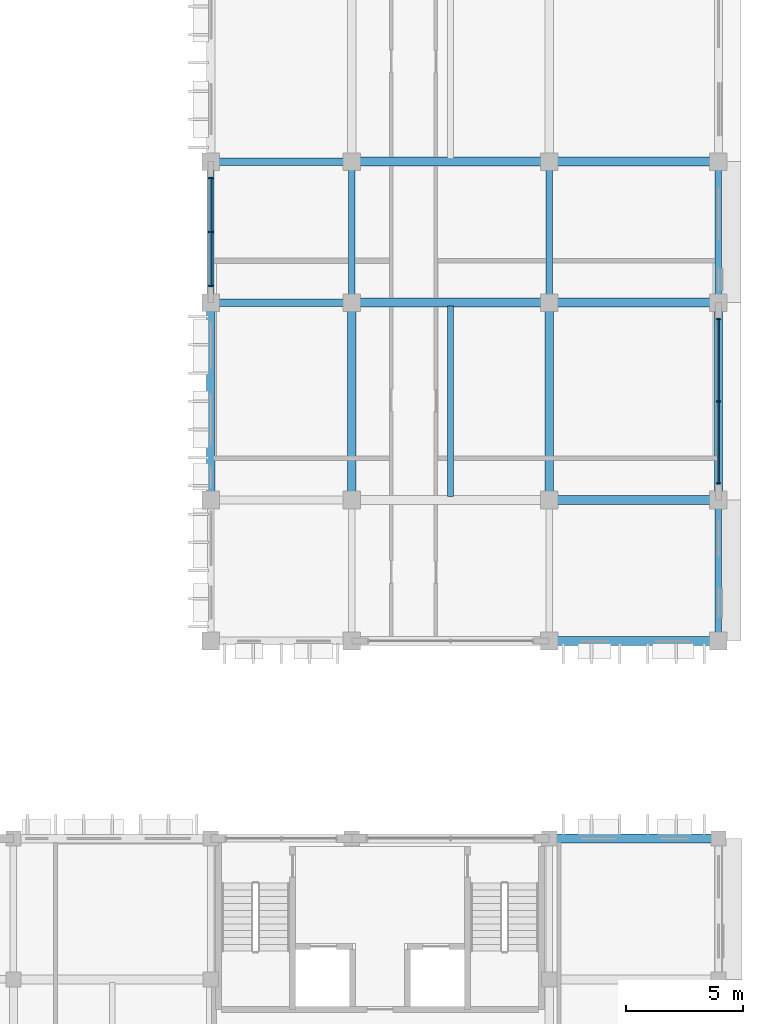
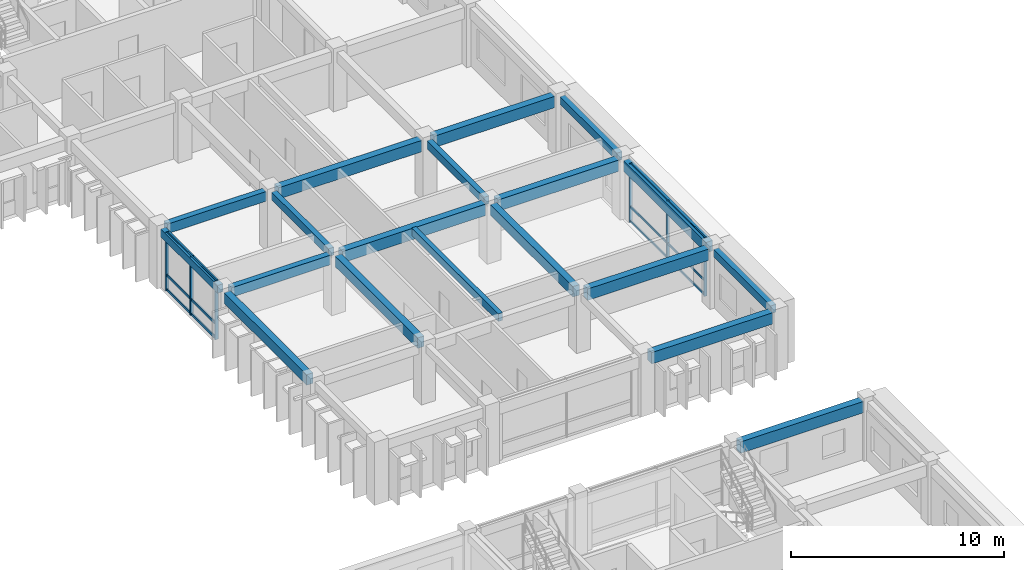
# One storey, part 39 of 88: 19 beams, 12 members, 2 elements without a shape of their own.
"""IFC4 building model written with IfcOpenShell, lengths in metres."""

from ifc_helpers import new_model, si_unit, direction, frame, origin, origin_2d, place, context, subcontext, project, spatial, rectangle, extrude, material, material_profile, profile_set, type_object, element, aggregate, save


model = new_model("IFC4")

# Units and contexts
model_context = context("Model", 3, precision=1e-05, world=origin(), true_north=direction((0.0, 1.0)))
body_context = subcontext(model_context, "Body", "Model", "MODEL_VIEW")
ifc_project = project(units=[si_unit("LENGTHUNIT", "METRE"), si_unit("AREAUNIT", "SQUARE_METRE"), si_unit("VOLUMEUNIT", "CUBIC_METRE"), si_unit("PLANEANGLEUNIT", "RADIAN"), si_unit("MASSUNIT", "GRAM", prefix="KILO"), si_unit("THERMODYNAMICTEMPERATUREUNIT", "KELVIN")], contexts=[model_context])

# Site, building, storey
site_placement = place(None, origin())
site = spatial("IfcSite", under=ifc_project, at=site_placement, CompositionType="ELEMENT")
building_placement = place(site_placement, origin())
building = spatial("IfcBuilding", under=site, at=building_placement, Name="Thalorik Housing Commons", CompositionType="ELEMENT")
storey_placement = place(building_placement, frame((0.0, 0.0, 4.5)))
storey = spatial("IfcBuildingStorey", under=building, at=storey_placement, Name="L01", CompositionType="ELEMENT", Elevation=4.5)

# Curtain wall, members
ifc_material_1 = material(Name="Anodised aluminium and solar-control low-E glass", Category="aluminium")
curtain_wall_type = type_object("IfcCurtainWallType", Name="ARC-CW-LOUNGE", PredefinedType="USERDEFINED", material=ifc_material_1)
curtain_wall_1_placement = place(storey_placement, origin())
curtain_wall_1 = element("IfcCurtainWall", 1, at=curtain_wall_1_placement, inside=storey, type_object=curtain_wall_type, Name="L01 Curtain Wall CW-RES-L01-B-078", ObjectType="CURTAIN WALL", PredefinedType="USERDEFINED")
ifc_material_2 = material(Name="Anodised aluminium 6063-T6", Category="aluminium")
ifc_material_profile_1 = material_profile(ifc_material_2, rectangle(XDim=0.06005859375, YDim=0.159912109375, at=origin_2d()), Name="ALU MUL 60x160", Category="aluminium")
ifc_profile_set_1 = profile_set([ifc_material_profile_1], Name="Anodised aluminium 6063-T6")
member_type_1 = type_object("IfcMemberType", Name="ARC-CW-MUL-60x160", PredefinedType="MULLION", material=ifc_profile_set_1)
member_1_placement = place(storey_placement, frame((174.0, 87.10009765625, 0.0), z_axis=(0.0, 0.0, 1.0), x_axis=(0.0, 1.0, 0.0)))
member_1 = element("IfcMember", 2, at=member_1_placement, type_object=member_type_1, Name="CW-RES-L01-B-078 Mullion 1", PredefinedType="MULLION", context=body_context, shape_type="SweptSolid", body=[
    extrude(rectangle(XDim=0.06005859375, YDim=0.159912109375, at=origin_2d()), origin(), (0.0, 0.0, 1.0), 3.340087890625),
])
member_2_placement = place(storey_placement, frame((174.0, 90.60009765625, 0.0), z_axis=(0.0, 0.0, 1.0), x_axis=(0.0, 1.0, 0.0)))
member_2 = element("IfcMember", 3, at=member_2_placement, type_object=member_type_1, Name="CW-RES-L01-B-078 Mullion 2", PredefinedType="MULLION", context=body_context, shape_type="SweptSolid", body=[
    extrude(rectangle(XDim=0.06005859375, YDim=0.159912109375, at=origin_2d()), origin(), (0.0, 0.0, 1.0), 3.340087890625),
])
member_3_placement = place(storey_placement, frame((174.0, 94.10009765625, 0.0), z_axis=(0.0, 0.0, 1.0), x_axis=(0.0, 1.0, 0.0)))
member_3 = element("IfcMember", 4, at=member_3_placement, type_object=member_type_1, Name="CW-RES-L01-B-078 Mullion 3", PredefinedType="MULLION", context=body_context, shape_type="SweptSolid", body=[
    extrude(rectangle(XDim=0.06005859375, YDim=0.159912109375, at=origin_2d()), origin(), (0.0, 0.0, 1.0), 3.340087890625),
])

curtain_wall_2_placement = place(storey_placement, origin())
curtain_wall_2 = element("IfcCurtainWall", 5, at=curtain_wall_2_placement, inside=storey, type_object=curtain_wall_type, Name="L01 Curtain Wall CW-RES-L01-B-076", ObjectType="CURTAIN WALL", PredefinedType="USERDEFINED")
ifc_material_profile_2 = material_profile(ifc_material_2, rectangle(XDim=0.06494140625, YDim=0.179931640625, at=origin_2d()), Name="ALU MUL 65x180", Category="aluminium")
ifc_profile_set_2 = profile_set([ifc_material_profile_2], Name="Anodised aluminium 6063-T6")
member_type_2 = type_object("IfcMemberType", Name="ARC-CW-MUL-65x180", PredefinedType="MULLION", material=ifc_profile_set_2)
member_4_placement = place(storey_placement, frame((152.39990234375, 100.10009765625, 0.0), z_axis=(0.0, 0.0, 1.0), x_axis=(0.0, -1.0, 0.0)))
member_4 = element("IfcMember", 6, at=member_4_placement, type_object=member_type_2, Name="CW-RES-L01-B-076 Mullion 1", PredefinedType="MULLION", context=body_context, shape_type="SweptSolid", body=[
    extrude(rectangle(XDim=0.06494140625, YDim=0.179931640625, at=origin_2d()), origin(), (0.0, 0.0, 1.0), 3.340087890625),
])
member_5_placement = place(storey_placement, frame((152.39990234375, 97.800048828125, 0.0), z_axis=(0.0, 0.0, 1.0), x_axis=(0.0, -1.0, 0.0)))
member_5 = element("IfcMember", 7, at=member_5_placement, type_object=member_type_2, Name="CW-RES-L01-B-076 Mullion 2", PredefinedType="MULLION", context=body_context, shape_type="SweptSolid", body=[
    extrude(rectangle(XDim=0.06494140625, YDim=0.179931640625, at=origin_2d()), origin(), (0.0, 0.0, 1.0), 3.340087890625),
])
member_6_placement = place(storey_placement, frame((152.39990234375, 95.5, 0.0), z_axis=(0.0, 0.0, 1.0), x_axis=(0.0, -1.0, 0.0)))
member_6 = element("IfcMember", 8, at=member_6_placement, type_object=member_type_2, Name="CW-RES-L01-B-076 Mullion 3", PredefinedType="MULLION", context=body_context, shape_type="SweptSolid", body=[
    extrude(rectangle(XDim=0.06494140625, YDim=0.179931640625, at=origin_2d()), origin(), (0.0, 0.0, 1.0), 3.340087890625),
])

# Member
ifc_material_profile_3 = material_profile(ifc_material_2, rectangle(XDim=0.06005859375, YDim=0.1201171875, at=origin_2d()), Name="ALU TRN 60x120", Category="aluminium")
ifc_profile_set_3 = profile_set([ifc_material_profile_3], Name="Anodised aluminium 6063-T6")
member_type_3 = type_object("IfcMemberType", Name="ARC-CW-TRN-60x120", PredefinedType="USERDEFINED", material=ifc_profile_set_3)
member_7_placement = place(storey_placement, frame((174.0, 87.10009765625, 0.054931640625), z_axis=(0.0, 1.0, 0.0), x_axis=(-1.0, 0.0, 0.0)))
member_7 = element("IfcMember", 9, at=member_7_placement, type_object=member_type_3, Name="CW-RES-L01-B-078 Transom 1", ObjectType="TRANSOM", PredefinedType="USERDEFINED", context=body_context, shape_type="SweptSolid", body=[
    extrude(rectangle(XDim=0.06005859375, YDim=0.1201171875, at=origin_2d()), origin(), (0.0, 0.0, 1.0), 7.0),
])

member_8_placement = place(storey_placement, frame((174.0, 87.10009765625, 0.8798828125), z_axis=(0.0, 1.0, 0.0), x_axis=(-1.0, 0.0, 0.0)))
member_8 = element("IfcMember", 10, at=member_8_placement, type_object=member_type_3, Name="CW-RES-L01-B-078 Transom 2", ObjectType="TRANSOM", PredefinedType="USERDEFINED", context=body_context, shape_type="SweptSolid", body=[
    extrude(rectangle(XDim=0.06005859375, YDim=0.1201171875, at=origin_2d()), origin(), (0.0, 0.0, 1.0), 7.0),
])

member_9_placement = place(storey_placement, frame((174.0, 87.10009765625, 3.284912109375), z_axis=(0.0, 1.0, 0.0), x_axis=(-1.0, 0.0, 0.0)))
member_9 = element("IfcMember", 11, at=member_9_placement, type_object=member_type_3, Name="CW-RES-L01-B-078 Transom 3", ObjectType="TRANSOM", PredefinedType="USERDEFINED", context=body_context, shape_type="SweptSolid", body=[
    extrude(rectangle(XDim=0.06005859375, YDim=0.1201171875, at=origin_2d()), origin(), (0.0, 0.0, 1.0), 7.0),
])

aggregate(curtain_wall_1, [member_1, member_2, member_3, member_7, member_8, member_9])

ifc_material_profile_4 = material_profile(ifc_material_2, rectangle(XDim=0.06494140625, YDim=0.14990234375, at=origin_2d()), Name="ALU TRN 65x150", Category="aluminium")
ifc_profile_set_4 = profile_set([ifc_material_profile_4], Name="Anodised aluminium 6063-T6")
member_type_4 = type_object("IfcMemberType", Name="ARC-CW-TRN-65x150", PredefinedType="USERDEFINED", material=ifc_profile_set_4)
member_10_placement = place(storey_placement, frame((152.39990234375, 100.10009765625, 0.054931640625), z_axis=(0.0, -1.0, 0.0), x_axis=(1.0, 0.0, 0.0)))
member_10 = element("IfcMember", 12, at=member_10_placement, type_object=member_type_4, Name="CW-RES-L01-B-076 Transom 1", ObjectType="TRANSOM", PredefinedType="USERDEFINED", context=body_context, shape_type="SweptSolid", body=[
    extrude(rectangle(XDim=0.06494140625, YDim=0.14990234375, at=origin_2d()), origin(), (0.0, 0.0, 1.0), 4.60009765625),
])

member_11_placement = place(storey_placement, frame((152.39990234375, 100.10009765625, 0.8798828125), z_axis=(0.0, -1.0, 0.0), x_axis=(1.0, 0.0, 0.0)))
member_11 = element("IfcMember", 13, at=member_11_placement, type_object=member_type_4, Name="CW-RES-L01-B-076 Transom 2", ObjectType="TRANSOM", PredefinedType="USERDEFINED", context=body_context, shape_type="SweptSolid", body=[
    extrude(rectangle(XDim=0.06494140625, YDim=0.14990234375, at=origin_2d()), origin(), (0.0, 0.0, 1.0), 4.60009765625),
])

member_12_placement = place(storey_placement, frame((152.39990234375, 100.10009765625, 3.284912109375), z_axis=(0.0, -1.0, 0.0), x_axis=(1.0, 0.0, 0.0)))
member_12 = element("IfcMember", 14, at=member_12_placement, type_object=member_type_4, Name="CW-RES-L01-B-076 Transom 3", ObjectType="TRANSOM", PredefinedType="USERDEFINED", context=body_context, shape_type="SweptSolid", body=[
    extrude(rectangle(XDim=0.06494140625, YDim=0.14990234375, at=origin_2d()), origin(), (0.0, 0.0, 1.0), 4.60009765625),
])

aggregate(curtain_wall_2, [member_4, member_5, member_6, member_10, member_11, member_12])

# Beams
ifc_material_3 = material(Name="Precast concrete C40/50", Category="concrete")
ifc_material_profile_5 = material_profile(ifc_material_3, rectangle(XDim=0.280029296875, YDim=0.449951171875, at=origin_2d()), Name="PC 280x450", Category="concrete")
ifc_profile_set_5 = profile_set([ifc_material_profile_5], Name="Precast concrete C40/50")
beam_type_1 = type_object("IfcBeamType", Name="STR-BM-PC280x450", PredefinedType="BEAM", material=ifc_profile_set_5)
for number, where, z_axis, x_axis, name in (
    (15, (152.39990234375, 95.125, 3.114990234375), (0.0, 1.0, 0.0), (-1.0, 0.0, 0.0), "L01 Beam B-450"),
    (16, (158.39990234375, 95.125, 3.114990234375), (0.0, 1.0, 0.0), (-1.0, 0.0, 0.0), "L01 Beam B-450"),
    (17, (166.800048828125, 95.125, 3.114990234375), (0.0, 1.0, 0.0), (-1.0, 0.0, 0.0), "L01 Beam B-450"),
):
    element("IfcBeam", number, at=place(storey_placement, frame(where, z_axis=z_axis, x_axis=x_axis)), inside=storey, type_object=beam_type_1, Name=name, PredefinedType="BEAM", context=body_context, shape_type="SweptSolid", body=[
        extrude(rectangle(XDim=0.280029296875, YDim=0.449951171875, at=origin_2d()), origin(), (0.0, 0.0, 1.0), 5.35009765625),
    ])
beam_1_placement = place(storey_placement, frame((174.0, 80.72509765625, 3.114990234375), z_axis=(0.0, 1.0, 0.0), x_axis=(-1.0, 0.0, 0.0)))
element("IfcBeam", 18, at=beam_1_placement, inside=storey, type_object=beam_type_1, Name="L01 Beam B-450", PredefinedType="BEAM", context=body_context, shape_type="SweptSolid", body=[
    extrude(rectangle(XDim=0.280029296875, YDim=0.449951171875, at=origin_2d()), origin(), (0.0, 0.0, 1.0), 5.349853515625),
])
beam_2_placement = place(storey_placement, frame((174.0, 95.125, 3.114990234375), z_axis=(0.0, 1.0, 0.0), x_axis=(-1.0, 0.0, 0.0)))
element("IfcBeam", 19, at=beam_2_placement, inside=storey, type_object=beam_type_1, Name="L01 Beam B-450", PredefinedType="BEAM", context=body_context, shape_type="SweptSolid", body=[
    extrude(rectangle(XDim=0.280029296875, YDim=0.449951171875, at=origin_2d()), origin(), (0.0, 0.0, 1.0), 5.35009765625),
])
ifc_material_profile_6 = material_profile(ifc_material_3, rectangle(XDim=0.320068359375, YDim=0.550048828125, at=origin_2d()), Name="PC 320x550", Category="concrete")
ifc_profile_set_6 = profile_set([ifc_material_profile_6], Name="Precast concrete C40/50")
beam_type_2 = type_object("IfcBeamType", Name="STR-BM-PC320x550", PredefinedType="BEAM", material=ifc_profile_set_6)
for number, where, z_axis, x_axis, name in (
    (20, (152.72509765625, 94.800048828125, 3.06494140625), (1.0, 0.0, 0.0), (0.0, 1.0, 0.0), "L01 Beam B-550"),
    (21, (152.72509765625, 100.800048828125, 3.06494140625), (1.0, 0.0, 0.0), (0.0, 1.0, 0.0), "L01 Beam B-550"),
):
    element("IfcBeam", number, at=place(storey_placement, frame(where, z_axis=z_axis, x_axis=x_axis)), inside=storey, type_object=beam_type_2, Name=name, PredefinedType="BEAM", context=body_context, shape_type="SweptSolid", body=[
        extrude(rectangle(XDim=0.320068359375, YDim=0.550048828125, at=origin_2d()), origin(), (0.0, 0.0, 1.0), 5.349853515625),
    ])
ifc_material_profile_7 = material_profile(ifc_material_3, rectangle(XDim=0.35009765625, YDim=0.60009765625, at=origin_2d()), Name="PC 350x600", Category="concrete")
ifc_profile_set_7 = profile_set([ifc_material_profile_7], Name="Precast concrete C40/50")
beam_type_3 = type_object("IfcBeamType", Name="STR-BM-PC350x600", PredefinedType="BEAM", material=ifc_profile_set_7)
for number, where, z_axis, x_axis, name in (
    (22, (152.39990234375, 86.72509765625, 3.0400390625), (0.0, 1.0, 0.0), (-1.0, 0.0, 0.0), "L01 Beam B-600"),
    (23, (158.39990234375, 86.72509765625, 3.0400390625), (0.0, 1.0, 0.0), (-1.0, 0.0, 0.0), "L01 Beam B-600"),
    (24, (166.800048828125, 86.72509765625, 3.0400390625), (0.0, 1.0, 0.0), (-1.0, 0.0, 0.0), "L01 Beam B-600"),
    (25, (174.0, 86.72509765625, 3.0400390625), (0.0, 1.0, 0.0), (-1.0, 0.0, 0.0), "L01 Beam B-600"),
):
    element("IfcBeam", number, at=place(storey_placement, frame(where, z_axis=z_axis, x_axis=x_axis)), inside=storey, type_object=beam_type_3, Name=name, PredefinedType="BEAM", context=body_context, shape_type="SweptSolid", body=[
        extrude(rectangle(XDim=0.35009765625, YDim=0.60009765625, at=origin_2d()), origin(), (0.0, 0.0, 1.0), 7.75),
    ])
ifc_material_profile_8 = material_profile(ifc_material_3, rectangle(XDim=0.3798828125, YDim=0.64990234375, at=origin_2d()), Name="PC 380x650", Category="concrete")
ifc_profile_set_8 = profile_set([ifc_material_profile_8], Name="Precast concrete C40/50")
beam_type_4 = type_object("IfcBeamType", Name="STR-BM-PC380x650", PredefinedType="BEAM", material=ifc_profile_set_8)
beam_3_placement = place(storey_placement, frame((167.074951171875, 72.0, 3.014892578125), z_axis=(1.0, 0.0, 0.0), x_axis=(0.0, 1.0, 0.0)))
element("IfcBeam", 26, at=beam_3_placement, inside=storey, type_object=beam_type_4, Name="L01 Beam B-650", PredefinedType="BEAM", context=body_context, shape_type="SweptSolid", body=[
    extrude(rectangle(XDim=0.3798828125, YDim=0.64990234375, at=origin_2d()), origin(), (0.0, 0.0, 1.0), 6.650146484375),
])
for number, where, z_axis, x_axis, name in (
    (27, (167.125, 80.39990234375, 3.014892578125), (1.0, 0.0, 0.0), (0.0, 1.0, 0.0), "L01 Beam B-650"),
    (28, (167.125, 86.39990234375, 3.014892578125), (1.0, 0.0, 0.0), (0.0, 1.0, 0.0), "L01 Beam B-650"),
):
    element("IfcBeam", number, at=place(storey_placement, frame(where, z_axis=z_axis, x_axis=x_axis)), inside=storey, type_object=beam_type_4, Name=name, PredefinedType="BEAM", context=body_context, shape_type="SweptSolid", body=[
        extrude(rectangle(XDim=0.3798828125, YDim=0.64990234375, at=origin_2d()), origin(), (0.0, 0.0, 1.0), 6.550048828125),
    ])
beam_4_placement = place(storey_placement, frame((158.72509765625, 94.800048828125, 3.014892578125), z_axis=(1.0, 0.0, 0.0), x_axis=(0.0, 1.0, 0.0)))
element("IfcBeam", 29, at=beam_4_placement, inside=storey, type_object=beam_type_4, Name="L01 Beam B-650", PredefinedType="BEAM", context=body_context, shape_type="SweptSolid", body=[
    extrude(rectangle(XDim=0.3798828125, YDim=0.64990234375, at=origin_2d()), origin(), (0.0, 0.0, 1.0), 7.75),
])
beam_5_placement = place(storey_placement, frame((167.125, 94.800048828125, 3.014892578125), z_axis=(1.0, 0.0, 0.0), x_axis=(0.0, 1.0, 0.0)))
element("IfcBeam", 30, at=beam_5_placement, inside=storey, type_object=beam_type_4, Name="L01 Beam B-650", PredefinedType="BEAM", context=body_context, shape_type="SweptSolid", body=[
    extrude(rectangle(XDim=0.3798828125, YDim=0.64990234375, at=origin_2d()), origin(), (0.0, 0.0, 1.0), 6.550048828125),
])
beam_6_placement = place(storey_placement, frame((158.72509765625, 100.800048828125, 3.014892578125), z_axis=(1.0, 0.0, 0.0), x_axis=(0.0, 1.0, 0.0)))
element("IfcBeam", 31, at=beam_6_placement, inside=storey, type_object=beam_type_4, Name="L01 Beam B-650", PredefinedType="BEAM", context=body_context, shape_type="SweptSolid", body=[
    extrude(rectangle(XDim=0.3798828125, YDim=0.64990234375, at=origin_2d()), origin(), (0.0, 0.0, 1.0), 7.75),
])
beam_7_placement = place(storey_placement, frame((167.125, 100.800048828125, 3.014892578125), z_axis=(1.0, 0.0, 0.0), x_axis=(0.0, 1.0, 0.0)))
element("IfcBeam", 32, at=beam_7_placement, inside=storey, type_object=beam_type_4, Name="L01 Beam B-650", PredefinedType="BEAM", context=body_context, shape_type="SweptSolid", body=[
    extrude(rectangle(XDim=0.3798828125, YDim=0.64990234375, at=origin_2d()), origin(), (0.0, 0.0, 1.0), 6.550048828125),
])
ifc_material_profile_9 = material_profile(ifc_material_3, rectangle(XDim=0.239990234375, YDim=0.43994140625, at=origin_2d()), Name="PC JST 240x440", Category="concrete")
ifc_profile_set_9 = profile_set([ifc_material_profile_9], Name="Precast concrete C40/50")
beam_type_5 = type_object("IfcBeamType", Name="STR-JST-PC240x440", PredefinedType="JOIST", material=ifc_profile_set_9)
beam_8_placement = place(storey_placement, frame((162.60009765625, 86.5400390625, 3.1201171875), z_axis=(0.0, 1.0, 0.0), x_axis=(-1.0, 0.0, 0.0)))
element("IfcBeam", 33, at=beam_8_placement, inside=storey, type_object=beam_type_5, Name="L01 Beam J-440", PredefinedType="JOIST", context=body_context, shape_type="SweptSolid", body=[
    extrude(rectangle(XDim=0.239990234375, YDim=0.43994140625, at=origin_2d()), origin(), (0.0, 0.0, 1.0), 8.119873046875),
])

save(model, "model.ifc")
